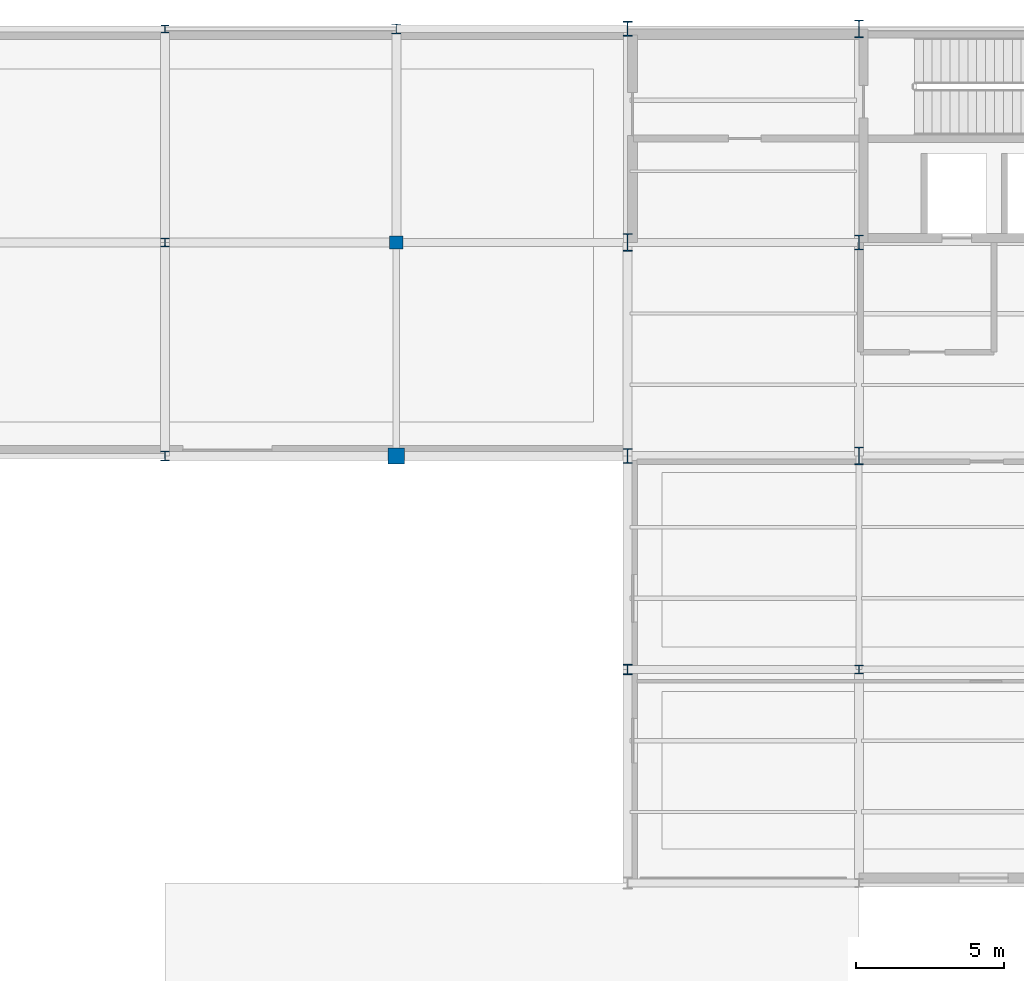
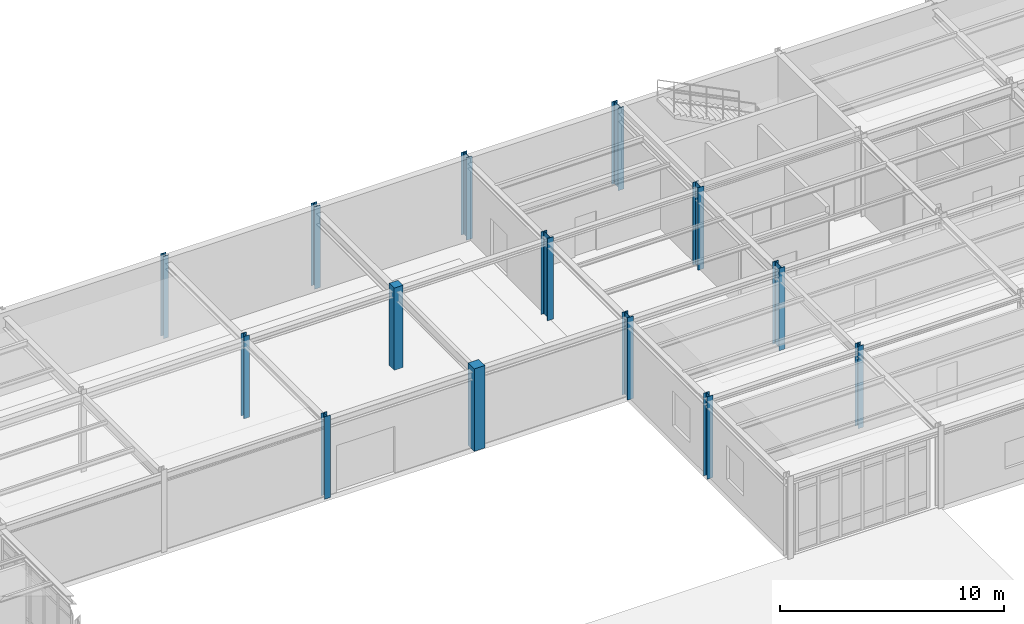
# One storey, part 14 of 101: 14 columns.
"""IFC4 building model written with IfcOpenShell, lengths in metres."""

import ifcopenshell
import ifcopenshell.guid

model = None  # the IFC model being written
_history = None  # IfcOwnerHistory: only IFC2X3 demands one
_inside = {}  # id of a spatial element -> (the spatial element, [elements in it])
_under = {}  # id of a project, library or spatial element -> (it, [spatial elements below it])
_declared = {}  # id of a project -> (the project, [libraries it declares])
_typed = {}  # id of a type object -> (the type object, [elements of that type])
_made_of = {}  # id of a material, layer set ... -> (it, [elements and type objects made of it])


def new_model(schema):
    """Start an empty IFC model of exactly this schema.

    Asked for "IFC4X3", IfcOpenShell would pick the latest addendum, in which some entities
    have other attributes; the version numbers below select the first issue.
    IFC2X3 requires an IfcOwnerHistory on every rooted entity: one is made here for all.
    """
    global model, _history
    if schema == "IFC4X3":
        model = ifcopenshell.file(schema_version=(4, 3, 0, 0))
    else:
        model = ifcopenshell.file(schema=schema)
    _inside.clear()
    _under.clear()
    _declared.clear()
    _typed.clear()
    _made_of.clear()
    _history = None
    if model.schema == "IFC2X3":
        org = make("IfcOrganization", Name="unknown")
        user = make(
            "IfcPersonAndOrganization",
            ThePerson=make("IfcPerson", FamilyName="unknown"),
            TheOrganization=org,
        )
        app = make(
            "IfcApplication",
            ApplicationDeveloper=org,
            Version="unknown",
            ApplicationFullName="unknown",
            ApplicationIdentifier="unknown",
        )
        _history = make(
            "IfcOwnerHistory",
            OwningUser=user,
            OwningApplication=app,
            ChangeAction="ADDED",
            CreationDate=0,
        )
    return model


def make(cls, **values):
    """One entity of the class cls with the attributes given. An attribute that is None is left unset."""
    return model.create_entity(
        cls, **{name: value for name, value in values.items() if value is not None}
    )


def rooted(cls, **values):
    """An entity with a GlobalId (a new one), such as an element, a storey or a relation."""
    return make(cls, GlobalId=ifcopenshell.guid.new(), OwnerHistory=_history, **values)


def si_unit(unit_type, name, prefix=None):
    """IfcSIUnit, for example si_unit("LENGTHUNIT", "METRE", prefix="MILLI")."""
    return make("IfcSIUnit", UnitType=unit_type, Prefix=prefix, Name=name)


def derived_unit(unit_type, elements):
    """IfcDerivedUnit: a product of units, each with its exponent."""
    return make(
        "IfcDerivedUnit",
        Elements=[
            make("IfcDerivedUnitElement", Unit=unit, Exponent=power)
            for unit, power in elements
        ],
        UnitType=unit_type,
    )


def assignment(units):
    """IfcUnitAssignment: the units of a project."""
    return None if units is None else make("IfcUnitAssignment", Units=units)


def point(xyz):
    """IfcCartesianPoint."""
    return None if xyz is None else make("IfcCartesianPoint", Coordinates=xyz)


def direction(xyz):
    """IfcDirection."""
    return None if xyz is None else make("IfcDirection", DirectionRatios=xyz)


def frame(location, z_axis=None, x_axis=None):
    """IfcAxis2Placement3D, a coordinate frame: its origin and axes. An axis left out is left unset."""
    return make(
        "IfcAxis2Placement3D",
        Location=point(location),
        Axis=direction(z_axis),
        RefDirection=direction(x_axis),
    )


def frame_2d(location, x_axis=None):
    """IfcAxis2Placement2D, a coordinate frame in the plane: its origin and x axis."""
    return make(
        "IfcAxis2Placement2D", Location=point(location), RefDirection=direction(x_axis)
    )


def origin():
    """The frame at (0, 0, 0) with its axes left unset."""
    return frame((0.0, 0.0, 0.0))


def origin_2d():
    """The frame at (0, 0) in the plane with its x axis left unset."""
    return frame_2d((0.0, 0.0))


def place(relative_to, where):
    """IfcLocalPlacement: puts the frame where relative to a parent placement (None: the world)."""
    return make(
        "IfcLocalPlacement", PlacementRelTo=relative_to, RelativePlacement=where
    )


def context(
    kind, dimensions, precision=None, world=None, true_north=None, identifier=None
):
    """IfcGeometricRepresentationContext, for example the 3D "Model" context."""
    return make(
        "IfcGeometricRepresentationContext",
        ContextIdentifier=identifier,
        ContextType=kind,
        CoordinateSpaceDimension=dimensions,
        Precision=precision,
        WorldCoordinateSystem=world,
        TrueNorth=true_north,
    )


def subcontext(parent, identifier, kind, view, scale=None):
    """IfcGeometricRepresentationSubContext, for example "Body" below "Model"."""
    return make(
        "IfcGeometricRepresentationSubContext",
        ContextIdentifier=identifier,
        ContextType=kind,
        ParentContext=parent,
        TargetScale=scale,
        TargetView=view,
    )


def project(units=None, contexts=None):
    """IfcProject with its units and contexts."""
    return rooted(
        "IfcProject",
        Name="project",
        RepresentationContexts=contexts,
        UnitsInContext=assignment(units),
    )


def spatial(cls, under=None, at=None, **own):
    """A site, building, storey or space (cls), placed at a placement, below another one or the project."""
    s = rooted(cls, ObjectPlacement=at, **own)
    if under is not None:
        _under.setdefault(under.id(), (under, []))[1].append(s)
    return s


def profile(cls, at=None, kind="AREA", **sizes):
    """A parametric profile (cls). Its sizes go by their IFC names, for example OverallWidth=200.0."""
    return make(cls, ProfileType=kind, Position=at, **sizes)


def rectangle(**sizes):
    """IfcRectangleProfileDef."""
    return profile("IfcRectangleProfileDef", **sizes)


def i_section(**sizes):
    """IfcIShapeProfileDef."""
    return profile("IfcIShapeProfileDef", **sizes)


def extrude(swept, where, along, depth):
    """IfcExtrudedAreaSolid: the profile swept, set in the frame where, extruded along a direction by depth."""
    return make(
        "IfcExtrudedAreaSolid",
        SweptArea=swept,
        Position=where,
        ExtrudedDirection=direction(along),
        Depth=depth,
    )


def shape(context_of_items, identifier, shape_type, items):
    """IfcShapeRepresentation: the items that make up one representation, for example the "Body"."""
    return make(
        "IfcShapeRepresentation",
        ContextOfItems=context_of_items,
        RepresentationIdentifier=identifier,
        RepresentationType=shape_type,
        Items=items,
    )


def material(Name=None, Category=None):
    """IfcMaterial."""
    return make("IfcMaterial", Name=Name, Category=Category)


def material_profile(
    of_material, cross_section, Name=None, Category=None, Priority=None
):
    """IfcMaterialProfile: a cross section and its material."""
    return make(
        "IfcMaterialProfile",
        Name=Name,
        Material=of_material,
        Profile=cross_section,
        Priority=Priority,
        Category=Category,
    )


def profile_set(profiles, Name=None, composite=None):
    """IfcMaterialProfileSet."""
    return make(
        "IfcMaterialProfileSet",
        Name=Name,
        MaterialProfiles=profiles,
        CompositeProfile=composite,
    )


def made_of(thing, what):
    """Note that an element or type object is made of a material, layer set ...; save() writes the relation."""
    if what is not None:
        _made_of.setdefault(what.id(), (what, []))[1].append(thing)
    return thing


def type_object(cls, material=None, **own):
    """A type object (cls), such as IfcWallType, which elements share."""
    return made_of(rooted(cls, **own), material)


def element(
    cls,
    number,
    at=None,
    inside=None,
    cuts=None,
    type_object=None,
    material=None,
    context=None,
    identifier="Body",
    shape_type=None,
    held_by="IfcProductDefinitionShape",
    body=None,
    shapes=None,
    **own,
):
    """One element of the class cls, such as IfcWall. Its Tag is "e" and its number.

    at: its placement. inside: the storey or other place that contains it. cuts: it is an
    opening in that element (IfcRelVoidsElement). A single representation is given by context,
    identifier, shape_type and body (its items); several are given by shapes. held_by: the class
    of the entity that holds the representations. save() writes the other relations.
    """
    e = rooted(cls, Tag="e%d" % number, ObjectPlacement=at, **own)
    if body is not None:
        shapes = [shape(context, identifier, shape_type, body)]
    if shapes is not None:
        e.Representation = make(held_by, Representations=shapes)
    if inside is not None:
        _inside.setdefault(inside.id(), (inside, []))[1].append(e)
    if cuts is not None:
        rooted(
            "IfcRelVoidsElement", RelatingBuildingElement=cuts, RelatedOpeningElement=e
        )
    if type_object is not None:
        _typed.setdefault(type_object.id(), (type_object, []))[1].append(e)
    return made_of(e, material)


def aggregate(whole, parts):
    """IfcRelAggregates: a whole, such as a stair, and the parts it consists of."""
    return rooted("IfcRelAggregates", RelatingObject=whole, RelatedObjects=parts)


def save(model, path):
    """Write the relations noted so far, then the file.

    IfcRelAggregates (storeys below a building ...), IfcRelContainedInSpatialStructure (elements
    in a storey), IfcRelDefinesByType, IfcRelAssociatesMaterial and IfcRelDeclares: one each for
    every whole, place, type object, material and project.
    """
    for whole, parts in _under.values():
        aggregate(whole, parts)
    for where, things in _inside.values():
        rooted(
            "IfcRelContainedInSpatialStructure",
            RelatedElements=things,
            RelatingStructure=where,
        )
    for kind, things in _typed.values():
        rooted("IfcRelDefinesByType", RelatedObjects=things, RelatingType=kind)
    for what, things in _made_of.values():
        rooted("IfcRelAssociatesMaterial", RelatedObjects=things, RelatingMaterial=what)
    for by, libraries in _declared.values():
        rooted("IfcRelDeclares", RelatingContext=by, RelatedDefinitions=libraries)
    model.write(path)


model = new_model("IFC4")

# Units and contexts
model_context = context("Model", 3, precision=1e-05, world=origin(), true_north=direction((0.0, 1.0)))
body_context = subcontext(model_context, "Body", "Model", "MODEL_VIEW")
ifc_project = project(units=[si_unit("LENGTHUNIT", "METRE"), si_unit("AREAUNIT", "SQUARE_METRE"), si_unit("VOLUMEUNIT", "CUBIC_METRE"), si_unit("PLANEANGLEUNIT", "RADIAN"), si_unit("MASSUNIT", "GRAM", prefix="KILO"), derived_unit("THERMALTRANSMITTANCEUNIT", [(si_unit("POWERUNIT", "WATT"), 1), (si_unit("AREAUNIT", "SQUARE_METRE"), -1), (si_unit("THERMODYNAMICTEMPERATUREUNIT", "KELVIN"), -1)])], contexts=[model_context])

# Site, building, storey
site_placement = place(None, origin())
site = spatial("IfcSite", under=ifc_project, at=site_placement, CompositionType="ELEMENT")
building_placement = place(site_placement, origin())
building = spatial("IfcBuilding", under=site, at=building_placement, Name="Yasenodar Specialist Clinic", CompositionType="ELEMENT")
storey_placement = place(building_placement, origin())
storey = spatial("IfcBuildingStorey", under=building, at=storey_placement, Name="L00", CompositionType="ELEMENT", Elevation=0.0)

# Columns
ifc_material_1 = material(Name="Concrete C35/45", Category="concrete")
ifc_material_profile_1 = material_profile(ifc_material_1, rectangle(XDim=0.449951171875, YDim=0.449951171875, at=origin_2d()), Name="RC 450x450")
ifc_profile_set_1 = profile_set([ifc_material_profile_1], Name="Concrete C35/45")
column_type_1 = type_object("IfcColumnType", Name="COL-RC-450", PredefinedType="COLUMN", material=ifc_profile_set_1)
column_1_placement = place(storey_placement, frame((41.39990234375, 104.39990234375, 0.0), z_axis=(0.0, 0.0, 1.0), x_axis=(1.0, 0.0, 0.0)))
element("IfcColumn", 1, at=column_1_placement, inside=storey, type_object=column_type_1, Name="L00 Column V4-077", PredefinedType="COLUMN", context=body_context, shape_type="SweptSolid", body=[
    extrude(rectangle(XDim=0.449951171875, YDim=0.449951171875, at=origin_2d()), origin(), (0.0, 0.0, 1.0), 4.5),
])
ifc_material_profile_2 = material_profile(ifc_material_1, rectangle(XDim=0.550048828125, YDim=0.550048828125, at=origin_2d()), Name="RC 550x550")
ifc_profile_set_2 = profile_set([ifc_material_profile_2], Name="Concrete C35/45")
column_type_2 = type_object("IfcColumnType", Name="COL-RC-550", PredefinedType="COLUMN", material=ifc_profile_set_2)
column_2_placement = place(storey_placement, frame((41.39990234375, 97.199951171875, 0.0), z_axis=(0.0, 0.0, 1.0), x_axis=(1.0, 0.0, 0.0)))
element("IfcColumn", 2, at=column_2_placement, inside=storey, type_object=column_type_2, Name="L00 Column V4-076", PredefinedType="COLUMN", context=body_context, shape_type="SweptSolid", body=[
    extrude(rectangle(XDim=0.550048828125, YDim=0.550048828125, at=origin_2d()), origin(), (0.0, 0.0, 1.0), 4.5),
])
ifc_material_2 = material(Name="Steel S355", Category="steel")
ifc_material_profile_3 = material_profile(ifc_material_2, i_section(OverallWidth=0.300048828125, OverallDepth=0.330078125, WebThickness=0.009521484375, FlangeThickness=0.0166015625, FilletRadius=0.027099609375, at=origin_2d()), Name="HEA 340")
ifc_profile_set_3 = profile_set([ifc_material_profile_3], Name="Steel S355")
column_type_3 = type_object("IfcColumnType", Name="COL-ST-HEA340", PredefinedType="COLUMN", material=ifc_profile_set_3)
for number, where, z_axis, x_axis, name in (
    (3, (33.60009765625, 97.199951171875, 0.0), (0.0, 0.0, 1.0), (1.0, 0.0, 0.0), "L00 Column V4-069"),
    (4, (41.39990234375, 111.60009765625, 0.0), (0.0, 0.0, 1.0), (1.0, 0.0, 0.0), "L00 Column V4-078"),
):
    element("IfcColumn", number, at=place(storey_placement, frame(where, z_axis=z_axis, x_axis=x_axis)), inside=storey, type_object=column_type_3, Name=name, PredefinedType="COLUMN", context=body_context, shape_type="SweptSolid", body=[
        extrude(i_section(OverallWidth=0.300048828125, OverallDepth=0.330078125, WebThickness=0.009521484375, FlangeThickness=0.0166015625, FilletRadius=0.027099609375, at=origin_2d()), origin(), (0.0, 0.0, 1.0), 4.5),
    ])
ifc_material_profile_4 = material_profile(ifc_material_2, i_section(OverallWidth=0.260009765625, OverallDepth=0.260009765625, WebThickness=0.010009765625, FlangeThickness=0.017578125, FilletRadius=0.02392578125, at=origin_2d()), Name="HEB 260")
ifc_profile_set_4 = profile_set([ifc_material_profile_4], Name="Steel S355")
column_type_4 = type_object("IfcColumnType", Name="COL-ST-HEB260", PredefinedType="COLUMN", material=ifc_profile_set_4)
column_3_placement = place(storey_placement, frame((33.60009765625, 111.60009765625, 0.0), z_axis=(0.0, 0.0, 1.0), x_axis=(1.0, 0.0, 0.0)))
element("IfcColumn", 5, at=column_3_placement, inside=storey, type_object=column_type_4, Name="L00 Column V4-071", PredefinedType="COLUMN", context=body_context, shape_type="SweptSolid", body=[
    extrude(i_section(OverallWidth=0.260009765625, OverallDepth=0.260009765625, WebThickness=0.010009765625, FlangeThickness=0.017578125, FilletRadius=0.02392578125, at=origin_2d()), origin(), (0.0, 0.0, 1.0), 4.5),
])
ifc_material_profile_5 = material_profile(ifc_material_2, i_section(OverallWidth=0.280029296875, OverallDepth=0.280029296875, WebThickness=0.010498046875, FlangeThickness=0.01806640625, FilletRadius=0.02392578125, at=origin_2d()), Name="HEB 280")
ifc_profile_set_5 = profile_set([ifc_material_profile_5], Name="Steel S355")
column_type_5 = type_object("IfcColumnType", Name="COL-ST-HEB280", PredefinedType="COLUMN", material=ifc_profile_set_5)
for number, where, z_axis, x_axis, name in (
    (6, (33.60009765625, 104.39990234375, 0.0), (0.0, 0.0, 1.0), (1.0, 0.0, 0.0), "L00 Column V4-070"),
    (7, (57.0, 90.0, 0.0), (0.0, 0.0, 1.0), (1.0, 0.0, 0.0), "L00 Column V5-089"),
):
    element("IfcColumn", number, at=place(storey_placement, frame(where, z_axis=z_axis, x_axis=x_axis)), inside=storey, type_object=column_type_5, Name=name, PredefinedType="COLUMN", context=body_context, shape_type="SweptSolid", body=[
        extrude(i_section(OverallWidth=0.280029296875, OverallDepth=0.280029296875, WebThickness=0.010498046875, FlangeThickness=0.01806640625, FilletRadius=0.02392578125, at=origin_2d()), origin(), (0.0, 0.0, 1.0), 4.5),
    ])
ifc_material_profile_6 = material_profile(ifc_material_2, i_section(OverallWidth=0.300048828125, OverallDepth=0.340087890625, WebThickness=0.011962890625, FlangeThickness=0.021484375, FilletRadius=0.027099609375, at=origin_2d()), Name="HEB 340")
ifc_profile_set_6 = profile_set([ifc_material_profile_6], Name="Steel S355")
column_type_6 = type_object("IfcColumnType", Name="COL-ST-HEB340", PredefinedType="COLUMN", material=ifc_profile_set_6)
column_4_placement = place(storey_placement, frame((49.199951171875, 90.0, 0.0), z_axis=(0.0, 0.0, 1.0), x_axis=(1.0, 0.0, 0.0)))
element("IfcColumn", 8, at=column_4_placement, inside=storey, type_object=column_type_6, Name="L00 Column V5-082", PredefinedType="COLUMN", context=body_context, shape_type="SweptSolid", body=[
    extrude(i_section(OverallWidth=0.300048828125, OverallDepth=0.340087890625, WebThickness=0.011962890625, FlangeThickness=0.021484375, FilletRadius=0.027099609375, at=origin_2d()), origin(), (0.0, 0.0, 1.0), 4.5),
])
ifc_material_profile_7 = material_profile(ifc_material_2, i_section(OverallWidth=0.300048828125, OverallDepth=0.5, WebThickness=0.014404296875, FlangeThickness=0.028076171875, FilletRadius=0.027099609375, at=origin_2d()), Name="HEB 500")
ifc_profile_set_7 = profile_set([ifc_material_profile_7], Name="Steel S355")
column_type_7 = type_object("IfcColumnType", Name="COL-ST-HEB500", PredefinedType="COLUMN", material=ifc_profile_set_7)
for number, where, z_axis, x_axis, name in (
    (9, (49.199951171875, 97.199951171875, 0.0), (0.0, 0.0, 1.0), (1.0, 0.0, 0.0), "L00 Column V5-083"),
    (10, (49.199951171875, 111.60009765625, 0.0), (0.0, 0.0, 1.0), (1.0, 0.0, 0.0), "L00 Column V5-085"),
    (11, (57.0, 104.39990234375, 0.0), (0.0, 0.0, 1.0), (1.0, 0.0, 0.0), "L00 Column V5-091"),
):
    element("IfcColumn", number, at=place(storey_placement, frame(where, z_axis=z_axis, x_axis=x_axis)), inside=storey, type_object=column_type_7, Name=name, PredefinedType="COLUMN", context=body_context, shape_type="SweptSolid", body=[
        extrude(i_section(OverallWidth=0.300048828125, OverallDepth=0.5, WebThickness=0.014404296875, FlangeThickness=0.028076171875, FilletRadius=0.027099609375, at=origin_2d()), origin(), (0.0, 0.0, 1.0), 4.5),
    ])
ifc_material_profile_8 = material_profile(ifc_material_2, i_section(OverallWidth=0.300048828125, OverallDepth=0.60009765625, WebThickness=0.015380859375, FlangeThickness=0.030029296875, FilletRadius=0.027099609375, at=origin_2d()), Name="HEB 600")
ifc_profile_set_8 = profile_set([ifc_material_profile_8], Name="Steel S355")
column_type_8 = type_object("IfcColumnType", Name="COL-ST-HEB600", PredefinedType="COLUMN", material=ifc_profile_set_8)
for number, where, z_axis, x_axis, name in (
    (12, (49.199951171875, 104.39990234375, 0.0), (0.0, 0.0, 1.0), (1.0, 0.0, 0.0), "L00 Column V5-084"),
    (13, (57.0, 97.199951171875, 0.0), (0.0, 0.0, 1.0), (1.0, 0.0, 0.0), "L00 Column V5-090"),
    (14, (57.0, 111.60009765625, 0.0), (0.0, 0.0, 1.0), (1.0, 0.0, 0.0), "L00 Column V5-092"),
):
    element("IfcColumn", number, at=place(storey_placement, frame(where, z_axis=z_axis, x_axis=x_axis)), inside=storey, type_object=column_type_8, Name=name, PredefinedType="COLUMN", context=body_context, shape_type="SweptSolid", body=[
        extrude(i_section(OverallWidth=0.300048828125, OverallDepth=0.60009765625, WebThickness=0.015380859375, FlangeThickness=0.030029296875, FilletRadius=0.027099609375, at=origin_2d()), origin(), (0.0, 0.0, 1.0), 4.5),
    ])

save(model, "model.ifc")
